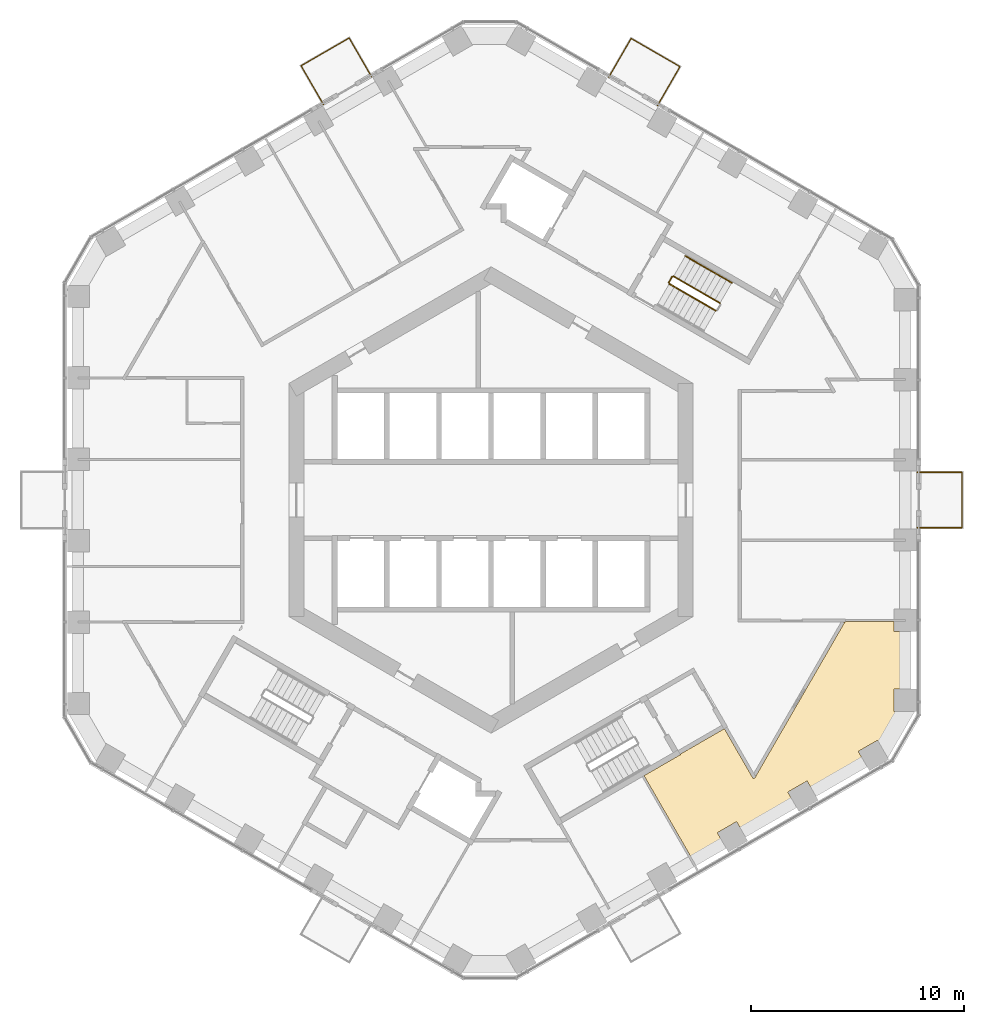
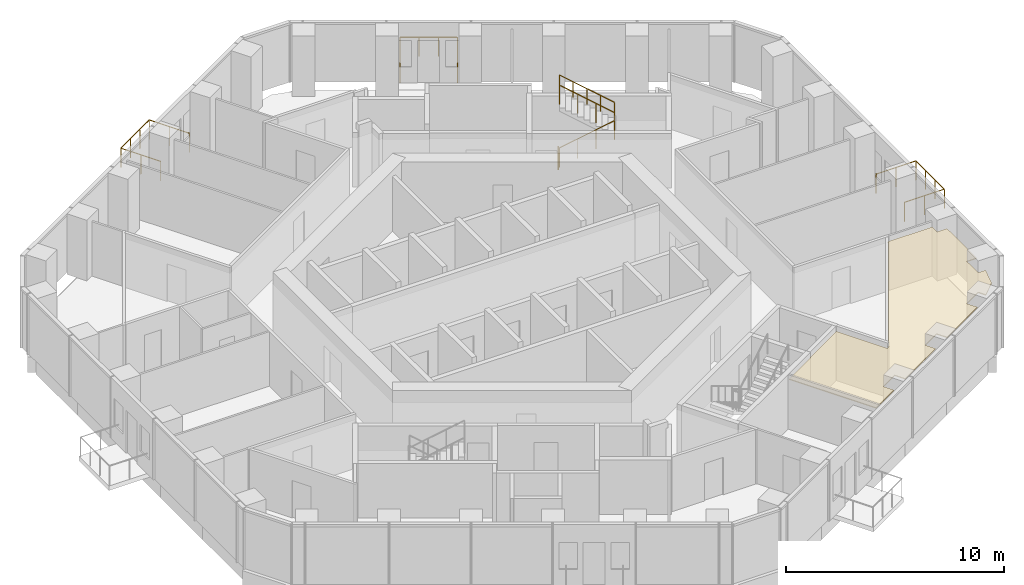
# One storey, part 20 of 20: 8 railings, 1 covering.
"""IFC4 building model written with IfcOpenShell, lengths in metres."""

from ifc_helpers import new_model, si_unit, direction, frame, origin, origin_2d, place, context, subcontext, project, spatial, polyline, circle, outline, extrude, material, layer, layer_set, type_object, element, save


model = new_model("IFC4")

# Units and contexts
model_context = context("Model", 3, precision=1e-05, world=origin(), true_north=direction((0.0, 1.0)))
body_context = subcontext(model_context, "Body", "Model", "MODEL_VIEW")
ifc_project = project(units=[si_unit("LENGTHUNIT", "METRE"), si_unit("AREAUNIT", "SQUARE_METRE"), si_unit("VOLUMEUNIT", "CUBIC_METRE"), si_unit("PLANEANGLEUNIT", "RADIAN"), si_unit("MASSUNIT", "GRAM", prefix="KILO")], contexts=[model_context])

# Site, building, storey
site_placement = place(None, origin())
site = spatial("IfcSite", under=ifc_project, at=site_placement, CompositionType="ELEMENT")
building_placement = place(site_placement, origin())
building = spatial("IfcBuilding", under=site, at=building_placement, Name="Ayvan Gate Tower", CompositionType="ELEMENT")
storey_placement = place(building_placement, frame((0.0, 0.0, 86.5)))
storey = spatial("IfcBuildingStorey", under=building, at=storey_placement, Name="L22", CompositionType="ELEMENT", Elevation=86.5)

# Railings
ifc_material_1 = material(Name="Stainless steel 316 and laminated glass", Category="steel")
railing_type_1 = type_object("IfcRailingType", Name="Balcony balustrade 1100", PredefinedType="BALUSTRADE", material=ifc_material_1)
railing_1_placement = place(storey_placement, frame((-5.6142578125, 19.8935546875, 0.0)))
element("IfcRailing", 1, at=railing_1_placement, inside=storey, type_object=railing_type_1, Name="Balcony balustrade BAL-L22-2", PredefinedType="BALUSTRADE", context=body_context, shape_type="SweptSolid", body=[
    extrude(circle(Radius=0.02490234375, at=origin_2d()), frame((0.0, 0.0, 1.0751953125), z_axis=(-0.500012199891, 0.86601836006, 0.0), x_axis=(-0.86601836006, -0.500012199891, 0.0)), (0.0, 0.0, 1.0), 2.115234375),
    extrude(circle(Radius=0.02490234375, at=origin_2d()), frame((-1.0576171875, 1.831787109375, 1.0751953125), z_axis=(-0.866006422342, -0.500032875382, 0.0), x_axis=(0.500032875382, -0.866006422342, 0.0)), (0.0, 0.0, 1.0), 2.609619140625),
    extrude(circle(Radius=0.02490234375, at=origin_2d()), frame((-3.317626953125, 0.52685546875, 1.0751953125), z_axis=(0.499925626596, -0.866068339032, 0.0), x_axis=(0.866068339032, 0.499925626596, 0.0)), (0.0, 0.0, 1.0), 2.114990234375),
    extrude(circle(Radius=0.02001953125, at=origin_2d()), origin(), (0.0, 0.0, 1.0), 1.050048828125),
    extrude(circle(Radius=0.02001953125, at=origin_2d()), frame((-0.52880859375, 0.916015625, 0.0)), (0.0, 0.0, 1.0), 1.050048828125),
    extrude(circle(Radius=0.02001953125, at=origin_2d()), frame((-1.0576171875, 1.831787109375, 0.0)), (0.0, 0.0, 1.0), 1.050048828125),
    extrude(circle(Radius=0.02001953125, at=origin_2d()), frame((-1.81103515625, 1.396728515625, 0.0)), (0.0, 0.0, 1.0), 1.050048828125),
    extrude(circle(Radius=0.02001953125, at=origin_2d()), frame((-2.564208984375, 0.9619140625, 0.0)), (0.0, 0.0, 1.0), 1.050048828125),
    extrude(circle(Radius=0.02001953125, at=origin_2d()), frame((-3.317626953125, 0.52685546875, 0.0)), (0.0, 0.0, 1.0), 1.050048828125),
    extrude(circle(Radius=0.02001953125, at=origin_2d()), frame((-2.7890625, -0.38916015625, 0.0)), (0.0, 0.0, 1.0), 1.050048828125),
    extrude(circle(Radius=0.02001953125, at=origin_2d()), frame((-2.26025390625, -1.304931640625, 0.0)), (0.0, 0.0, 1.0), 1.050048828125),
])
railing_2_placement = place(storey_placement, frame((20.03564453125, -1.304931640625, 0.0)))
element("IfcRailing", 2, at=railing_2_placement, inside=storey, type_object=railing_type_1, Name="Balcony balustrade BAL-L22-0", PredefinedType="BALUSTRADE", context=body_context, shape_type="SweptSolid", body=[
    extrude(circle(Radius=0.02490234375, at=origin_2d()), frame((0.0, 0.0, 1.0751953125), z_axis=(1.0, 0.0, 0.0), x_axis=(0.0, 1.0, 0.0)), (0.0, 0.0, 1.0), 2.114990234375),
    extrude(circle(Radius=0.02490234375, at=origin_2d()), frame((2.114990234375, 0.0, 1.0751953125), z_axis=(0.0, 1.0, 0.0), x_axis=(-1.0, 0.0, 0.0)), (0.0, 0.0, 1.0), 2.60986328125),
    extrude(circle(Radius=0.02490234375, at=origin_2d()), frame((2.114990234375, 2.60986328125, 1.0751953125), z_axis=(-1.0, 0.0, 0.0), x_axis=(0.0, -1.0, 0.0)), (0.0, 0.0, 1.0), 2.114990234375),
    extrude(circle(Radius=0.02001953125, at=origin_2d()), origin(), (0.0, 0.0, 1.0), 1.050048828125),
    extrude(circle(Radius=0.02001953125, at=origin_2d()), frame((1.0576171875, 0.0, 0.0)), (0.0, 0.0, 1.0), 1.050048828125),
    extrude(circle(Radius=0.02001953125, at=origin_2d()), frame((2.114990234375, 0.0, 0.0)), (0.0, 0.0, 1.0), 1.050048828125),
    extrude(circle(Radius=0.02001953125, at=origin_2d()), frame((2.114990234375, 0.869873046875, 0.0)), (0.0, 0.0, 1.0), 1.050048828125),
    extrude(circle(Radius=0.02001953125, at=origin_2d()), frame((2.114990234375, 1.739990234375, 0.0)), (0.0, 0.0, 1.0), 1.050048828125),
    extrude(circle(Radius=0.02001953125, at=origin_2d()), frame((2.114990234375, 2.60986328125, 0.0)), (0.0, 0.0, 1.0), 1.050048828125),
    extrude(circle(Radius=0.02001953125, at=origin_2d()), frame((1.0576171875, 2.60986328125, 0.0)), (0.0, 0.0, 1.0), 1.050048828125),
    extrude(circle(Radius=0.02001953125, at=origin_2d()), frame((0.0, 2.60986328125, 0.0)), (0.0, 0.0, 1.0), 1.050048828125),
])
railing_3_placement = place(storey_placement, frame((7.8271484375, 18.547607421875, 0.0)))
element("IfcRailing", 3, at=railing_3_placement, inside=storey, type_object=railing_type_1, Name="Balcony balustrade BAL-L22-1", PredefinedType="BALUSTRADE", context=body_context, shape_type="SweptSolid", body=[
    extrude(circle(Radius=0.02490234375, at=origin_2d()), frame((0.0, 0.0, 1.0751953125), z_axis=(0.499975608288, 0.866039485888, 0.0), x_axis=(-0.866039485888, 0.499975608288, 0.0)), (0.0, 0.0, 1.0), 2.11474609375),
    extrude(circle(Radius=0.02490234375, at=origin_2d()), frame((1.057373046875, 1.83154296875, 1.0751953125), z_axis=(-0.865978525769, 0.500081186316, 0.0), x_axis=(-0.500081186316, -0.865978525769, 0.0)), (0.0, 0.0, 1.0), 2.65087890625),
    extrude(circle(Radius=0.02490234375, at=origin_2d()), frame((-1.23828125, 3.1572265625, 1.0751953125), z_axis=(-0.500012199891, -0.86601836006, 0.0), x_axis=(0.86601836006, -0.500012199891, 0.0)), (0.0, 0.0, 1.0), 2.115234375),
    extrude(circle(Radius=0.02001953125, at=origin_2d()), origin(), (0.0, 0.0, 1.0), 1.050048828125),
    extrude(circle(Radius=0.02001953125, at=origin_2d()), frame((0.52880859375, 0.915771484375, 0.0)), (0.0, 0.0, 1.0), 1.050048828125),
    extrude(circle(Radius=0.02001953125, at=origin_2d()), frame((1.057373046875, 1.83154296875, 0.0)), (0.0, 0.0, 1.0), 1.050048828125),
    extrude(circle(Radius=0.02001953125, at=origin_2d()), frame((0.292236328125, 2.2734375, 0.0)), (0.0, 0.0, 1.0), 1.050048828125),
    extrude(circle(Radius=0.02001953125, at=origin_2d()), frame((-0.47314453125, 2.71533203125, 0.0)), (0.0, 0.0, 1.0), 1.050048828125),
    extrude(circle(Radius=0.02001953125, at=origin_2d()), frame((-1.23828125, 3.1572265625, 0.0)), (0.0, 0.0, 1.0), 1.050048828125),
    extrude(circle(Radius=0.02001953125, at=origin_2d()), frame((-1.76708984375, 2.2412109375, 0.0)), (0.0, 0.0, 1.0), 1.050048828125),
    extrude(circle(Radius=0.02001953125, at=origin_2d()), frame((-2.2958984375, 1.325439453125, 0.0)), (0.0, 0.0, 1.0), 1.050048828125),
])

# Covering
ifc_material_2 = material(Name="Plasterboard suspended ceiling")
ifc_layer = layer(ifc_material_2, 0.050048828125)
ifc_layer_set = layer_set([ifc_layer], Name="Plasterboard suspended ceiling")
covering_type = type_object("IfcCoveringType", Name="CT-SUSP-50", PredefinedType="CEILING", material=ifc_layer_set)
covering_placement = place(storey_placement, frame((0.0, 0.0, 2.699951171875)))
element("IfcCovering", 4, at=covering_placement, inside=storey, type_object=covering_type, Name="Ceiling Gym L22", PredefinedType="CEILING", context=body_context, shape_type="SweptSolid", body=[
    extrude(outline(polyline([(10.95068359375, -10.76708984375), (10.972412109375, -10.754638671875), (12.32861328125, -13.10400390625), (12.458740234375, -13.029052734375), (12.4111328125, -12.94677734375), (12.458740234375, -12.97412109375), (16.616943359375, -5.772216796875), (16.5693359375, -5.74462890625), (16.664306640625, -5.74462890625), (16.664306640625, -5.7197265625), (18.960693359375, -5.7197265625), (18.960693359375, -6.174072265625), (19.485595703125, -6.174072265625), (19.485595703125, -8.89013671875), (18.960693359375, -8.89013671875), (18.960693359375, -9.940185546875), (19.35400390625, -9.940185546875), (19.08349609375, -10.949462890625), (18.38232421875, -11.650634765625), (18.177734375, -11.296142578125), (17.268310546875, -11.821044921875), (17.545654296875, -12.301513671875), (15.14013671875, -13.690185546875), (14.86279296875, -13.2099609375), (13.95361328125, -13.73486328125), (14.230712890625, -14.21533203125), (13.35009765625, -14.7236328125), (11.8251953125, -15.604248046875), (11.5478515625, -15.123779296875), (10.638671875, -15.648681640625), (10.916015625, -16.129150390625), (9.49658203125, -16.948486328125), (7.196044921875, -12.9638671875), (8.906494140625, -11.976318359375), (8.893798828125, -11.95458984375), (10.95068359375, -10.76708984375)])), origin(), (0.0, 0.0, 1.0), 0.050048828125),
])

# Railings
ifc_material_3 = material(Name="Stainless steel balustrade", Category="steel")
railing_type_2 = type_object("IfcRailingType", Name="RL-GUARD-1100", PredefinedType="GUARDRAIL", material=ifc_material_3)
railing_4_placement = place(storey_placement, frame((8.381103515625, 10.16650390625, 0.169921875)))
element("IfcRailing", 5, at=railing_4_placement, inside=storey, type_object=railing_type_2, Name="L22 STS1 stair guard 1", PredefinedType="GUARDRAIL", context=body_context, shape_type="SweptSolid", body=[
    extrude(circle(Radius=0.02392578125, at=origin_2d()), frame((0.0, 0.0, 1.076171875), z_axis=(0.740261155115, -0.427395438142, 0.518986090067), x_axis=(0.500004791531, 0.866022637375, 0.0)), (0.0, 0.0, 1.0), 2.947998046875),
    extrude(circle(Radius=0.02099609375, at=origin_2d()), origin(), (0.0, 0.0, 1.0), 1.052001953125),
    extrude(circle(Radius=0.02099609375, at=origin_2d()), frame((0.7275390625, -0.419921875, 0.510009765625)), (0.0, 0.0, 1.0), 1.052001953125),
    extrude(circle(Radius=0.02099609375, at=origin_2d()), frame((1.454833984375, -0.840087890625, 1.02001953125)), (0.0, 0.0, 1.0), 1.052001953125),
    extrude(circle(Radius=0.02099609375, at=origin_2d()), frame((2.182373046875, -1.260009765625, 1.530029296875)), (0.0, 0.0, 1.0), 1.052001953125),
])
railing_5_placement = place(storey_placement, frame((10.7685546875, 9.261474609375, 1.8701171875)))
element("IfcRailing", 6, at=railing_5_placement, inside=storey, type_object=railing_type_2, Name="L22 STS1 stair guard 3", PredefinedType="GUARDRAIL", context=body_context, shape_type="SweptSolid", body=[
    extrude(circle(Radius=0.02392578125, at=origin_2d()), frame((0.0, 0.0, 1.076171875), z_axis=(-0.740292969978, 0.427413806696, 0.51892557891), x_axis=(-0.500004791531, -0.866022637375, 0.0)), (0.0, 0.0, 1.0), 2.947998046875),
    extrude(circle(Radius=0.02099609375, at=origin_2d()), origin(), (0.0, 0.0, 1.0), 1.052001953125),
    extrude(circle(Radius=0.02099609375, at=origin_2d()), frame((-0.7275390625, 0.419921875, 0.510009765625)), (0.0, 0.0, 1.0), 1.052001953125),
    extrude(circle(Radius=0.02099609375, at=origin_2d()), frame((-1.454833984375, 0.840087890625, 1.019775390625)), (0.0, 0.0, 1.0), 1.052001953125),
    extrude(circle(Radius=0.02099609375, at=origin_2d()), frame((-2.182373046875, 1.260009765625, 1.52978515625)), (0.0, 0.0, 1.0), 1.052001953125),
])
railing_6_placement = place(storey_placement, frame((8.36279296875, 10.23486328125, 0.0)))
element("IfcRailing", 7, at=railing_6_placement, inside=storey, type_object=railing_type_2, Name="L22 STS1 stair guard 4", PredefinedType="GUARDRAIL", context=body_context, shape_type="SweptSolid", body=[
    extrude(circle(Radius=0.02392578125, at=origin_2d()), frame((0.0, 0.0, 1.076171875), z_axis=(0.500290723946, 0.86585748916, 0.0), x_axis=(-0.86585748916, 0.500290723946, 0.0)), (0.0, 0.0, 1.0), 0.309814453125),
    extrude(circle(Radius=0.02099609375, at=origin_2d()), origin(), (0.0, 0.0, 1.0), 1.052001953125),
    extrude(circle(Radius=0.02099609375, at=origin_2d()), frame((0.155029296875, 0.268310546875, 0.0)), (0.0, 0.0, 1.0), 1.052001953125),
])
railing_type_3 = type_object("IfcRailingType", Name="RL-HANDRAIL-900", PredefinedType="HANDRAIL", material=ifc_material_3)
railing_7_placement = place(storey_placement, frame((11.318603515625, 10.214111328125, 1.8701171875)))
element("IfcRailing", 8, at=railing_7_placement, inside=storey, type_object=railing_type_3, Name="L22 STS1 stair handrail 3", PredefinedType="HANDRAIL", context=body_context, shape_type="SweptSolid", body=[
    extrude(circle(Radius=0.02392578125, at=origin_2d()), frame((0.0, 0.0, 0.8759765625), z_axis=(-0.740304193401, 0.427455284825, 0.518875399983), x_axis=(-0.500035496587, -0.86600490885, 0.0)), (0.0, 0.0, 1.0), 1.47412109375),
    extrude(circle(Radius=0.02099609375, at=origin_2d()), origin(), (0.0, 0.0, 1.0), 0.851806640625),
    extrude(circle(Radius=0.02099609375, at=origin_2d()), frame((-0.545654296875, 0.31494140625, 0.38232421875)), (0.0, 0.0, 1.0), 0.851806640625),
    extrude(circle(Radius=0.02099609375, at=origin_2d()), frame((-1.09130859375, 0.630126953125, 0.764892578125)), (0.0, 0.0, 1.0), 0.851806640625),
])
railing_8_placement = place(storey_placement, frame((10.227294921875, 10.84423828125, 2.635009765625)))
element("IfcRailing", 9, at=railing_8_placement, inside=storey, type_object=railing_type_3, Name="L22 STS1 stair handrail 4", PredefinedType="HANDRAIL", context=body_context, shape_type="SweptSolid", body=[
    extrude(circle(Radius=0.02392578125, at=origin_2d()), frame((0.0, 0.0, 0.8759765625), z_axis=(-0.740356597536, 0.427319915356, 0.518912129772), x_axis=(-0.499890179513, -0.866088799389, 0.0)), (0.0, 0.0, 1.0), 1.47412109375),
    extrude(circle(Radius=0.02099609375, at=origin_2d()), origin(), (0.0, 0.0, 1.0), 0.851806640625),
    extrude(circle(Radius=0.02099609375, at=origin_2d()), frame((-0.545654296875, 0.31494140625, 0.38232421875)), (0.0, 0.0, 1.0), 0.851806640625),
    extrude(circle(Radius=0.02099609375, at=origin_2d()), frame((-1.09130859375, 0.6298828125, 0.764892578125)), (0.0, 0.0, 1.0), 0.851806640625),
])

save(model, "model.ifc")
